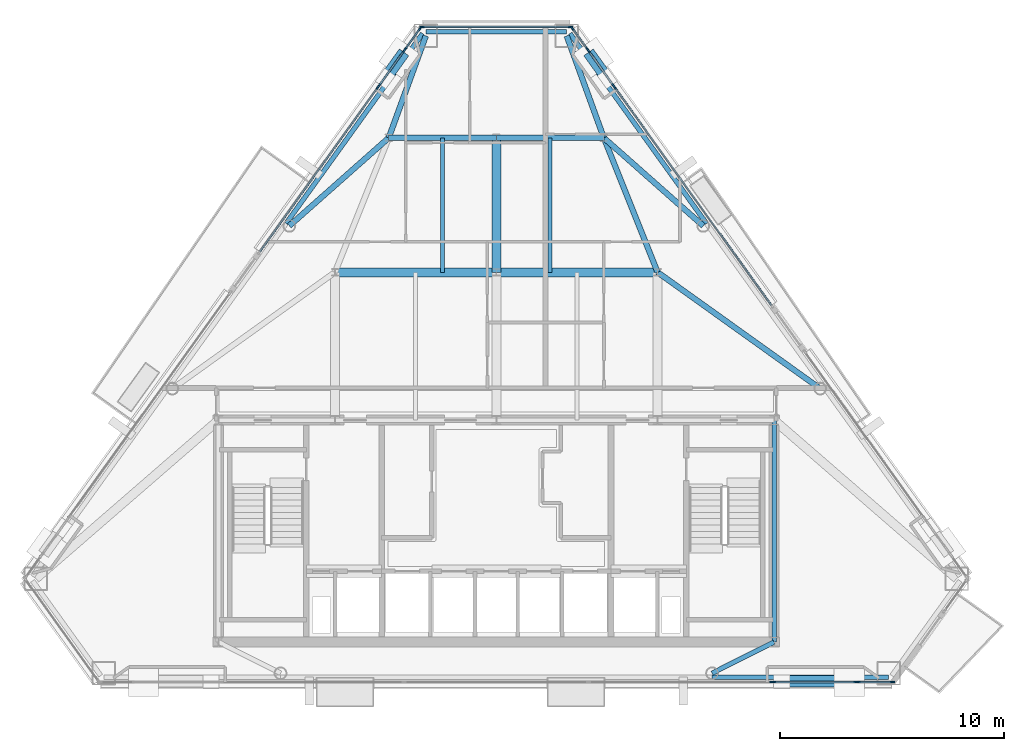
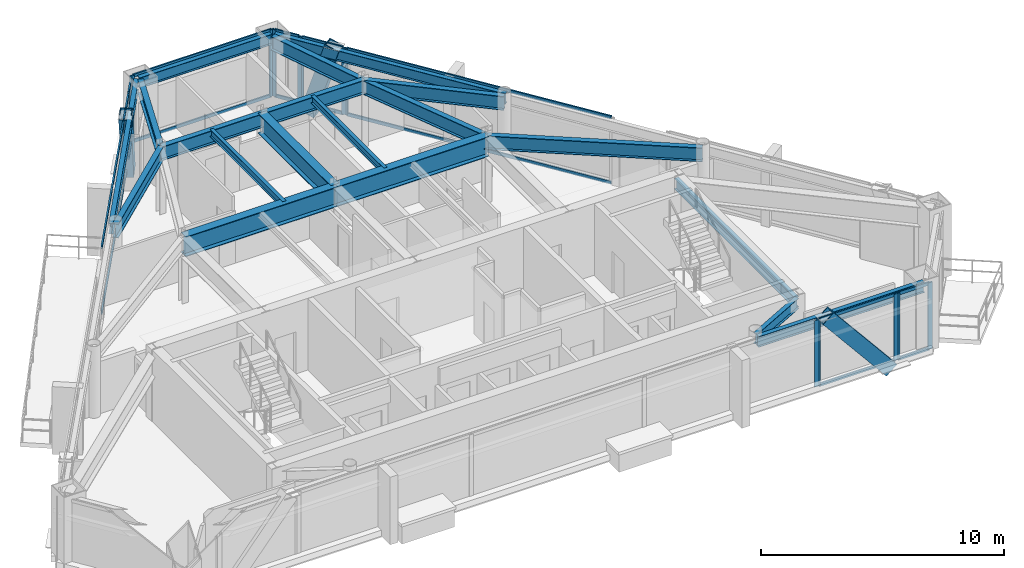
# One storey, part 4 of 11: 38 members, 19 beams, 10 elements without a shape of their own.
"""IFC4 building model written with IfcOpenShell, lengths in metres."""

import ifcopenshell
import ifcopenshell.guid

model = None  # the IFC model being written
_history = None  # IfcOwnerHistory: only IFC2X3 demands one
_inside = {}  # id of a spatial element -> (the spatial element, [elements in it])
_under = {}  # id of a project, library or spatial element -> (it, [spatial elements below it])
_declared = {}  # id of a project -> (the project, [libraries it declares])
_typed = {}  # id of a type object -> (the type object, [elements of that type])
_made_of = {}  # id of a material, layer set ... -> (it, [elements and type objects made of it])


def new_model(schema):
    """Start an empty IFC model of exactly this schema.

    Asked for "IFC4X3", IfcOpenShell would pick the latest addendum, in which some entities
    have other attributes; the version numbers below select the first issue.
    IFC2X3 requires an IfcOwnerHistory on every rooted entity: one is made here for all.
    """
    global model, _history
    if schema == "IFC4X3":
        model = ifcopenshell.file(schema_version=(4, 3, 0, 0))
    else:
        model = ifcopenshell.file(schema=schema)
    _inside.clear()
    _under.clear()
    _declared.clear()
    _typed.clear()
    _made_of.clear()
    _history = None
    if model.schema == "IFC2X3":
        org = make("IfcOrganization", Name="unknown")
        user = make(
            "IfcPersonAndOrganization",
            ThePerson=make("IfcPerson", FamilyName="unknown"),
            TheOrganization=org,
        )
        app = make(
            "IfcApplication",
            ApplicationDeveloper=org,
            Version="unknown",
            ApplicationFullName="unknown",
            ApplicationIdentifier="unknown",
        )
        _history = make(
            "IfcOwnerHistory",
            OwningUser=user,
            OwningApplication=app,
            ChangeAction="ADDED",
            CreationDate=0,
        )
    return model


def make(cls, **values):
    """One entity of the class cls with the attributes given. An attribute that is None is left unset."""
    return model.create_entity(
        cls, **{name: value for name, value in values.items() if value is not None}
    )


def rooted(cls, **values):
    """An entity with a GlobalId (a new one), such as an element, a storey or a relation."""
    return make(cls, GlobalId=ifcopenshell.guid.new(), OwnerHistory=_history, **values)


def si_unit(unit_type, name, prefix=None):
    """IfcSIUnit, for example si_unit("LENGTHUNIT", "METRE", prefix="MILLI")."""
    return make("IfcSIUnit", UnitType=unit_type, Prefix=prefix, Name=name)


def assignment(units):
    """IfcUnitAssignment: the units of a project."""
    return None if units is None else make("IfcUnitAssignment", Units=units)


def point(xyz):
    """IfcCartesianPoint."""
    return None if xyz is None else make("IfcCartesianPoint", Coordinates=xyz)


def direction(xyz):
    """IfcDirection."""
    return None if xyz is None else make("IfcDirection", DirectionRatios=xyz)


def frame(location, z_axis=None, x_axis=None):
    """IfcAxis2Placement3D, a coordinate frame: its origin and axes. An axis left out is left unset."""
    return make(
        "IfcAxis2Placement3D",
        Location=point(location),
        Axis=direction(z_axis),
        RefDirection=direction(x_axis),
    )


def frame_2d(location, x_axis=None):
    """IfcAxis2Placement2D, a coordinate frame in the plane: its origin and x axis."""
    return make(
        "IfcAxis2Placement2D", Location=point(location), RefDirection=direction(x_axis)
    )


def origin():
    """The frame at (0, 0, 0) with its axes left unset."""
    return frame((0.0, 0.0, 0.0))


def origin_2d():
    """The frame at (0, 0) in the plane with its x axis left unset."""
    return frame_2d((0.0, 0.0))


def place(relative_to, where):
    """IfcLocalPlacement: puts the frame where relative to a parent placement (None: the world)."""
    return make(
        "IfcLocalPlacement", PlacementRelTo=relative_to, RelativePlacement=where
    )


def context(
    kind, dimensions, precision=None, world=None, true_north=None, identifier=None
):
    """IfcGeometricRepresentationContext, for example the 3D "Model" context."""
    return make(
        "IfcGeometricRepresentationContext",
        ContextIdentifier=identifier,
        ContextType=kind,
        CoordinateSpaceDimension=dimensions,
        Precision=precision,
        WorldCoordinateSystem=world,
        TrueNorth=true_north,
    )


def subcontext(parent, identifier, kind, view, scale=None):
    """IfcGeometricRepresentationSubContext, for example "Body" below "Model"."""
    return make(
        "IfcGeometricRepresentationSubContext",
        ContextIdentifier=identifier,
        ContextType=kind,
        ParentContext=parent,
        TargetScale=scale,
        TargetView=view,
    )


def project(units=None, contexts=None):
    """IfcProject with its units and contexts."""
    return rooted(
        "IfcProject",
        Name="project",
        RepresentationContexts=contexts,
        UnitsInContext=assignment(units),
    )


def spatial(cls, under=None, at=None, **own):
    """A site, building, storey or space (cls), placed at a placement, below another one or the project."""
    s = rooted(cls, ObjectPlacement=at, **own)
    if under is not None:
        _under.setdefault(under.id(), (under, []))[1].append(s)
    return s


def profile(cls, at=None, kind="AREA", **sizes):
    """A parametric profile (cls). Its sizes go by their IFC names, for example OverallWidth=200.0."""
    return make(cls, ProfileType=kind, Position=at, **sizes)


def rectangle(**sizes):
    """IfcRectangleProfileDef."""
    return profile("IfcRectangleProfileDef", **sizes)


def hollow_rectangle(**sizes):
    """IfcRectangleHollowProfileDef."""
    return profile("IfcRectangleHollowProfileDef", **sizes)


def i_section(**sizes):
    """IfcIShapeProfileDef."""
    return profile("IfcIShapeProfileDef", **sizes)


def extrude(swept, where, along, depth):
    """IfcExtrudedAreaSolid: the profile swept, set in the frame where, extruded along a direction by depth."""
    return make(
        "IfcExtrudedAreaSolid",
        SweptArea=swept,
        Position=where,
        ExtrudedDirection=direction(along),
        Depth=depth,
    )


def shape(context_of_items, identifier, shape_type, items):
    """IfcShapeRepresentation: the items that make up one representation, for example the "Body"."""
    return make(
        "IfcShapeRepresentation",
        ContextOfItems=context_of_items,
        RepresentationIdentifier=identifier,
        RepresentationType=shape_type,
        Items=items,
    )


def material(Name=None, Category=None):
    """IfcMaterial."""
    return make("IfcMaterial", Name=Name, Category=Category)


def layer(
    of_material, thickness, ventilated=None, Name=None, Category=None, Priority=None
):
    """IfcMaterialLayer: one layer of a wall or slab, of a material (None: an air gap)."""
    return make(
        "IfcMaterialLayer",
        Material=of_material,
        LayerThickness=thickness,
        IsVentilated=ventilated,
        Name=Name,
        Category=Category,
        Priority=Priority,
    )


def layer_set(layers, Name=None):
    """IfcMaterialLayerSet."""
    return make("IfcMaterialLayerSet", MaterialLayers=layers, LayerSetName=Name)


def material_profile(
    of_material, cross_section, Name=None, Category=None, Priority=None
):
    """IfcMaterialProfile: a cross section and its material."""
    return make(
        "IfcMaterialProfile",
        Name=Name,
        Material=of_material,
        Profile=cross_section,
        Priority=Priority,
        Category=Category,
    )


def profile_set(profiles, Name=None, composite=None):
    """IfcMaterialProfileSet."""
    return make(
        "IfcMaterialProfileSet",
        Name=Name,
        MaterialProfiles=profiles,
        CompositeProfile=composite,
    )


def made_of(thing, what):
    """Note that an element or type object is made of a material, layer set ...; save() writes the relation."""
    if what is not None:
        _made_of.setdefault(what.id(), (what, []))[1].append(thing)
    return thing


def type_object(cls, material=None, **own):
    """A type object (cls), such as IfcWallType, which elements share."""
    return made_of(rooted(cls, **own), material)


def element(
    cls,
    number,
    at=None,
    inside=None,
    cuts=None,
    type_object=None,
    material=None,
    context=None,
    identifier="Body",
    shape_type=None,
    held_by="IfcProductDefinitionShape",
    body=None,
    shapes=None,
    **own,
):
    """One element of the class cls, such as IfcWall. Its Tag is "e" and its number.

    at: its placement. inside: the storey or other place that contains it. cuts: it is an
    opening in that element (IfcRelVoidsElement). A single representation is given by context,
    identifier, shape_type and body (its items); several are given by shapes. held_by: the class
    of the entity that holds the representations. save() writes the other relations.
    """
    e = rooted(cls, Tag="e%d" % number, ObjectPlacement=at, **own)
    if body is not None:
        shapes = [shape(context, identifier, shape_type, body)]
    if shapes is not None:
        e.Representation = make(held_by, Representations=shapes)
    if inside is not None:
        _inside.setdefault(inside.id(), (inside, []))[1].append(e)
    if cuts is not None:
        rooted(
            "IfcRelVoidsElement", RelatingBuildingElement=cuts, RelatedOpeningElement=e
        )
    if type_object is not None:
        _typed.setdefault(type_object.id(), (type_object, []))[1].append(e)
    return made_of(e, material)


def aggregate(whole, parts):
    """IfcRelAggregates: a whole, such as a stair, and the parts it consists of."""
    return rooted("IfcRelAggregates", RelatingObject=whole, RelatedObjects=parts)


def save(model, path):
    """Write the relations noted so far, then the file.

    IfcRelAggregates (storeys below a building ...), IfcRelContainedInSpatialStructure (elements
    in a storey), IfcRelDefinesByType, IfcRelAssociatesMaterial and IfcRelDeclares: one each for
    every whole, place, type object, material and project.
    """
    for whole, parts in _under.values():
        aggregate(whole, parts)
    for where, things in _inside.values():
        rooted(
            "IfcRelContainedInSpatialStructure",
            RelatedElements=things,
            RelatingStructure=where,
        )
    for kind, things in _typed.values():
        rooted("IfcRelDefinesByType", RelatedObjects=things, RelatingType=kind)
    for what, things in _made_of.values():
        rooted("IfcRelAssociatesMaterial", RelatedObjects=things, RelatingMaterial=what)
    for by, libraries in _declared.values():
        rooted("IfcRelDeclares", RelatingContext=by, RelatedDefinitions=libraries)
    model.write(path)


model = new_model("IFC4")

# Units and contexts
model_context = context("Model", 3, precision=1e-05, world=origin(), true_north=direction((0.0, 1.0)))
body_context = subcontext(model_context, "Body", "Model", "MODEL_VIEW")
ifc_project = project(units=[si_unit("LENGTHUNIT", "METRE"), si_unit("AREAUNIT", "SQUARE_METRE"), si_unit("VOLUMEUNIT", "CUBIC_METRE"), si_unit("PLANEANGLEUNIT", "RADIAN"), si_unit("MASSUNIT", "GRAM", prefix="KILO")], contexts=[model_context])

# Site, building, storey
site_placement = place(None, origin())
site = spatial("IfcSite", under=ifc_project, at=site_placement, CompositionType="ELEMENT")
building_placement = place(site_placement, origin())
building = spatial("IfcBuilding", under=site, at=building_placement, Name="Talgorran Terracotta Tower", CompositionType="ELEMENT")
storey_placement = place(building_placement, frame((0.0, 0.0, 207.300048828125)))
storey = spatial("IfcBuildingStorey", under=building, at=storey_placement, Name="L54", CompositionType="ELEMENT", Elevation=207.300048828125)

# Beams
ifc_material_1 = material(Name="Steel Grade 350 (350L0)", Category="steel")
ifc_material_profile_1 = material_profile(ifc_material_1, i_section(OverallWidth=0.39990234375, OverallDepth=1.0, WebThickness=0.01611328125, FlangeThickness=0.031005859375, at=origin_2d()), Name="1000WB296")
ifc_profile_set_1 = profile_set([ifc_material_profile_1], Name="Steel Grade 350 (350L0)")
beam_type_1 = type_object("IfcBeamType", Name="BM_1000WB296", PredefinedType="BEAM", material=ifc_profile_set_1)
for number, where, z_axis, x_axis, name in (
    (1, (-7.199951171875, 2.39990234375, 2.844970703125), (1.0, 0.0, 0.0), (0.0, 1.0, 0.0), "L54 Floor Girder G04"),
    (2, (0.0, 2.39990234375, 2.844970703125), (1.0, 0.0, 0.0), (0.0, 1.0, 0.0), "L54 Floor Girder G05"),
):
    element("IfcBeam", number, at=place(storey_placement, frame(where, z_axis=z_axis, x_axis=x_axis)), inside=storey, type_object=beam_type_1, Name=name, PredefinedType="BEAM", context=body_context, shape_type="SweptSolid", body=[
        extrude(i_section(OverallWidth=0.39990234375, OverallDepth=1.0, WebThickness=0.01611328125, FlangeThickness=0.031005859375, at=origin_2d()), origin(), (0.0, 0.0, 1.0), 7.199951171875),
    ])
beam_1_placement = place(storey_placement, frame((0.0, 2.39990234375, 2.844970703125), z_axis=(0.0, 1.0, 0.0), x_axis=(-1.0, 0.0, 0.0)))
element("IfcBeam", 3, at=beam_1_placement, inside=storey, type_object=beam_type_1, Name="L54 Floor Girder G09", PredefinedType="BEAM", context=body_context, shape_type="SweptSolid", body=[
    extrude(i_section(OverallWidth=0.39990234375, OverallDepth=1.0, WebThickness=0.01611328125, FlangeThickness=0.031005859375, at=origin_2d()), origin(), (0.0, 0.0, 1.0), 6.0),
])
ifc_material_2 = material(Name="Steel S355 (300PLUS)", Category="steel")
ifc_material_profile_2 = material_profile(ifc_material_2, i_section(OverallWidth=0.25, OverallDepth=0.699951171875, WebThickness=0.011962890625, FlangeThickness=0.02392578125, at=origin_2d()), Name="700WB150")
ifc_profile_set_2 = profile_set([ifc_material_profile_2], Name="Steel S355 (300PLUS)")
beam_type_2 = type_object("IfcBeamType", Name="BM_700WB150", PredefinedType="BEAM", material=ifc_profile_set_2)
beam_2_placement = place(storey_placement, frame((7.199951171875, 2.39990234375, 2.994873046875), z_axis=(0.813243309998, -0.581923808366, 0.0), x_axis=(0.581923808366, 0.813243309998, 0.0)))
element("IfcBeam", 4, at=beam_2_placement, inside=storey, type_object=beam_type_2, Name="L54 Floor Girder G07", PredefinedType="BEAM", context=body_context, shape_type="SweptSolid", body=[
    extrude(i_section(OverallWidth=0.25, OverallDepth=0.699951171875, WebThickness=0.011962890625, FlangeThickness=0.02392578125, at=origin_2d()), origin(), (0.0, 0.0, 1.0), 8.923583984375),
])
beam_3_placement = place(storey_placement, frame((7.199951171875, 2.39990234375, 2.994873046875), z_axis=(-0.371377648723, 0.928481901832, 0.0), x_axis=(-0.928481901832, -0.371377648723, 0.0)))
element("IfcBeam", 5, at=beam_3_placement, inside=storey, type_object=beam_type_2, Name="L54 Floor Girder G10", PredefinedType="BEAM", context=body_context, shape_type="SweptSolid", body=[
    extrude(i_section(OverallWidth=0.25, OverallDepth=0.699951171875, WebThickness=0.011962890625, FlangeThickness=0.02392578125, at=origin_2d()), origin(), (0.0, 0.0, 1.0), 6.462158203125),
])
for number, where, z_axis, x_axis, name in (
    (6, (-4.800048828125, 8.39990234375, 2.994873046875), (1.0, 0.0, 0.0), (0.0, 1.0, 0.0), "L54 Floor Girder G11"),
    (7, (0.0, 8.39990234375, 2.994873046875), (1.0, 0.0, 0.0), (0.0, 1.0, 0.0), "L54 Floor Girder G12"),
):
    element("IfcBeam", number, at=place(storey_placement, frame(where, z_axis=z_axis, x_axis=x_axis)), inside=storey, type_object=beam_type_2, Name=name, PredefinedType="BEAM", context=body_context, shape_type="SweptSolid", body=[
        extrude(i_section(OverallWidth=0.25, OverallDepth=0.699951171875, WebThickness=0.011962890625, FlangeThickness=0.02392578125, at=origin_2d()), origin(), (0.0, 0.0, 1.0), 4.800048828125),
    ])
for number, where, z_axis, x_axis, name in (
    (8, (-4.800048828125, 8.39990234375, 2.994873046875), (-0.748742442486, -0.662861037338, 0.0), (0.662861037338, -0.748742442486, 0.0), "L54 Floor Girder G13"),
    (9, (4.800048828125, 8.39990234375, 2.994873046875), (0.748742442486, -0.662861037338, 0.0), (0.662861037338, 0.748742442486, 0.0), "L54 Floor Girder G14"),
):
    element("IfcBeam", number, at=place(storey_placement, frame(where, z_axis=z_axis, x_axis=x_axis)), inside=storey, type_object=beam_type_2, Name=name, PredefinedType="BEAM", context=body_context, shape_type="SweptSolid", body=[
        extrude(i_section(OverallWidth=0.25, OverallDepth=0.699951171875, WebThickness=0.011962890625, FlangeThickness=0.02392578125, at=origin_2d()), origin(), (0.0, 0.0, 1.0), 5.92431640625),
    ])
for number, where, z_axis, x_axis, name in (
    (10, (-4.800048828125, 8.39990234375, 2.994873046875), (0.341933346836, 0.939724207585, 0.0), (-0.939724207585, 0.341933346836, 0.0), "L54 Floor Girder G15"),
    (11, (4.800048828125, 8.39990234375, 2.994873046875), (-0.341933346836, 0.939724207585, 0.0), (-0.939724207585, -0.341933346836, 0.0), "L54 Floor Girder G16"),
):
    element("IfcBeam", number, at=place(storey_placement, frame(where, z_axis=z_axis, x_axis=x_axis)), inside=storey, type_object=beam_type_2, Name=name, PredefinedType="BEAM", context=body_context, shape_type="SweptSolid", body=[
        extrude(i_section(OverallWidth=0.25, OverallDepth=0.699951171875, WebThickness=0.011962890625, FlangeThickness=0.02392578125, at=origin_2d()), origin(), (0.0, 0.0, 1.0), 4.841552734375),
    ])
ifc_material_profile_3 = material_profile(ifc_material_2, i_section(OverallWidth=0.17138671875, OverallDepth=0.355712890625, WebThickness=0.00732421875, FlangeThickness=0.011474609375, at=origin_2d()), Name="360UB50.7")
ifc_profile_set_3 = profile_set([ifc_material_profile_3], Name="Steel S355 (300PLUS)")
beam_type_3 = type_object("IfcBeamType", Name="BM_JS_360UB51", PredefinedType="JOIST", material=ifc_profile_set_3)
for number, where, z_axis, x_axis, name in (
    (12, (-2.39990234375, 2.39990234375, 3.167236328125), (0.0, 1.0, 0.0), (-1.0, 0.0, 0.0), "L54 Secondary Joist J03"),
    (13, (2.39990234375, 2.39990234375, 3.167236328125), (0.0, 1.0, 0.0), (-1.0, 0.0, 0.0), "L54 Secondary Joist J04"),
):
    element("IfcBeam", number, at=place(storey_placement, frame(where, z_axis=z_axis, x_axis=x_axis)), inside=storey, type_object=beam_type_3, Name=name, PredefinedType="JOIST", context=body_context, shape_type="SweptSolid", body=[
        extrude(i_section(OverallWidth=0.17138671875, OverallDepth=0.355712890625, WebThickness=0.00732421875, FlangeThickness=0.011474609375, at=origin_2d()), origin(), (0.0, 0.0, 1.0), 6.0),
    ])
ifc_material_profile_4 = material_profile(ifc_material_2, i_section(OverallWidth=0.209228515625, OverallDepth=0.532958984375, WebThickness=0.01025390625, FlangeThickness=0.015625, at=origin_2d()), Name="530UB92.4")
ifc_profile_set_4 = profile_set([ifc_material_profile_4], Name="Steel S355 (300PLUS)")
beam_type_4 = type_object("IfcBeamType", Name="BM_SP_530UB92", PredefinedType="SPANDREL", material=ifc_profile_set_4)
beam_4_placement = place(storey_placement, frame((9.630859375, -15.6767578125, 3.078369140625), z_axis=(1.0, 0.0, 0.0), x_axis=(0.0, 1.0, 0.0)))
element("IfcBeam", 14, at=beam_4_placement, inside=storey, type_object=beam_type_4, Name="L54 Perimeter Spandrel Beam FC2-MC3", PredefinedType="SPANDREL", context=body_context, shape_type="SweptSolid", body=[
    extrude(i_section(OverallWidth=0.209228515625, OverallDepth=0.532958984375, WebThickness=0.01025390625, FlangeThickness=0.015625, at=origin_2d()), origin(), (0.0, 0.0, 1.0), 7.8798828125),
])
beam_5_placement = place(storey_placement, frame((9.382080078125, 4.577880859375, 3.078369140625), z_axis=(-0.583547851422, 0.812078755479, 0.0), x_axis=(-0.812078755479, -0.583547851422, 0.0)))
element("IfcBeam", 15, at=beam_5_placement, inside=storey, type_object=beam_type_4, Name="L54 Perimeter Spandrel Beam FC4-MC5", PredefinedType="SPANDREL", context=body_context, shape_type="SweptSolid", body=[
    extrude(i_section(OverallWidth=0.209228515625, OverallDepth=0.532958984375, WebThickness=0.01025390625, FlangeThickness=0.015625, at=origin_2d()), origin(), (0.0, 0.0, 1.0), 10.4384765625),
])
beam_6_placement = place(storey_placement, frame((3.14453125, 13.129638671875, 3.078369140625), z_axis=(-1.0, 0.0, 0.0), x_axis=(0.0, -1.0, 0.0)))
element("IfcBeam", 16, at=beam_6_placement, inside=storey, type_object=beam_type_4, Name="L54 Perimeter Spandrel Beam MC5-MC6", PredefinedType="SPANDREL", context=body_context, shape_type="SweptSolid", body=[
    extrude(i_section(OverallWidth=0.209228515625, OverallDepth=0.532958984375, WebThickness=0.01025390625, FlangeThickness=0.015625, at=origin_2d()), origin(), (0.0, 0.0, 1.0), 6.2890625),
])
beam_7_placement = place(storey_placement, frame((-3.290771484375, 13.0546875, 3.078369140625), z_axis=(-0.583547851422, -0.812078755479, 0.0), x_axis=(0.812078755479, -0.583547851422, 0.0)))
element("IfcBeam", 17, at=beam_7_placement, inside=storey, type_object=beam_type_4, Name="L54 Perimeter Spandrel Beam MC6-FC5", PredefinedType="SPANDREL", context=body_context, shape_type="SweptSolid", body=[
    extrude(i_section(OverallWidth=0.209228515625, OverallDepth=0.532958984375, WebThickness=0.01025390625, FlangeThickness=0.015625, at=origin_2d()), origin(), (0.0, 0.0, 1.0), 10.4384765625),
])
beam_8_placement = place(storey_placement, frame((12.39990234375, -14.10009765625, 3.078369140625), z_axis=(-0.892878892076, -0.450296884383, 0.0), x_axis=(0.450296884383, -0.892878892076, 0.0)))
element("IfcBeam", 18, at=beam_8_placement, inside=storey, type_object=beam_type_4, Name="L54 South-East Core Tie Beam", PredefinedType="SPANDREL", context=body_context, shape_type="SweptSolid", body=[
    extrude(i_section(OverallWidth=0.209228515625, OverallDepth=0.532958984375, WebThickness=0.01025390625, FlangeThickness=0.015625, at=origin_2d()), origin(), (0.0, 0.0, 1.0), 3.101318359375),
])
beam_9_placement = place(storey_placement, frame((12.39990234375, -14.10009765625, 3.078369140625), z_axis=(0.0, 1.0, 0.0), x_axis=(-1.0, 0.0, 0.0)))
element("IfcBeam", 19, at=beam_9_placement, inside=storey, type_object=beam_type_4, Name="L54 Core Frame Beam CFE", PredefinedType="SPANDREL", context=body_context, shape_type="SweptSolid", body=[
    extrude(i_section(OverallWidth=0.209228515625, OverallDepth=0.532958984375, WebThickness=0.01025390625, FlangeThickness=0.015625, at=origin_2d()), origin(), (0.0, 0.0, 1.0), 9.900146484375),
])

# Members
ifc_material_profile_5 = material_profile(ifc_material_1, hollow_rectangle(XDim=0.52001953125, YDim=0.659912109375, WallThickness=0.034912109375, at=origin_2d()), Name="WBOX660X520X35")
ifc_profile_set_5 = profile_set([ifc_material_profile_5], Name="Steel Grade 350 (350L0)")
member_type_1 = type_object("IfcMemberType", Name="MB_MEGA_660", PredefinedType="BRACE", material=ifc_profile_set_5)
member_1_placement = place(storey_placement, frame((15.748779296875, -15.856689453125, -0.275146484375), z_axis=(-0.636528945712, 0.0, 0.771252812812), x_axis=(0.0, -1.0, 0.0)))
element("IfcMember", 20, at=member_1_placement, inside=storey, type_object=member_type_1, Name="L54 Exterior Face Mega-Brace MB-3 (SEF)", PredefinedType="BRACE", context=body_context, shape_type="SweptSolid", body=[
    extrude(hollow_rectangle(XDim=0.52001953125, YDim=0.659912109375, WallThickness=0.034912109375, at=origin_2d()), origin(), (0.0, 0.0, 1.0), 4.72607421875),
])
for number, where, z_axis, x_axis, name in (
    (21, (4.300537109375, 11.957763671875, -0.275146484375), (0.171396030818, -0.238494663727, 0.9558994173), (0.812050884366, 0.583586635557, 0.0), "L54 Exterior Face Mega-Brace MB-3 (NEU)"),
    (22, (-4.300537109375, 11.957763671875, -0.275146484375), (-0.171396030818, -0.238494663727, 0.9558994173), (0.812050884366, -0.583586635557, 0.0), "L54 Exterior Face Mega-Brace MB-3 (NWU)"),
):
    element("IfcMember", number, at=place(storey_placement, frame(where, z_axis=z_axis, x_axis=x_axis)), inside=storey, type_object=member_type_1, Name=name, PredefinedType="BRACE", context=body_context, shape_type="SweptSolid", body=[
        extrude(hollow_rectangle(XDim=0.52001953125, YDim=0.659912109375, WallThickness=0.034912109375, at=origin_2d()), origin(), (0.0, 0.0, 1.0), 3.813232421875),
    ])

# Curtain wall, member
ifc_material_3 = material(Name="High-Wind Unitised Glazing", Category="glass")
ifc_layer = layer(ifc_material_3, 0.2099609375, Name="CW_SYS3_RES_HIGH")
ifc_layer_set = layer_set([ifc_layer], Name="High-Wind Unitised Glazing")
curtain_wall_type = type_object("IfcCurtainWallType", Name="CW_SYS3_RES_HIGH", PredefinedType="NOTDEFINED", material=ifc_layer_set)
curtain_wall_1_placement = place(storey_placement, origin())
curtain_wall_1 = element("IfcCurtainWall", 23, at=curtain_wall_1_placement, inside=storey, type_object=curtain_wall_type, Name="CW-L54-F1C", PredefinedType="NOTDEFINED")
ifc_material_4 = material(Name="Architectural Aluminium 6063-T6", Category="aluminium")
ifc_material_profile_6 = material_profile(ifc_material_4, rectangle(XDim=0.070068359375, YDim=0.199951171875, at=origin_2d()), Name="CWM70X200")
ifc_profile_set_6 = profile_set([ifc_material_profile_6], Name="Architectural Aluminium 6063-T6")
member_type_2 = type_object("IfcMemberType", Name="MUL_70X200", PredefinedType="MULLION", material=ifc_profile_set_6)
member_2_placement = place(storey_placement, frame((12.296142578125, -15.896728515625, 0.0), z_axis=(0.0, 0.0, 1.0), x_axis=(0.0, 1.0, 0.0)))
member_2 = element("IfcMember", 24, at=member_2_placement, type_object=member_type_2, Name="CW-L54-1C mullion 4", PredefinedType="MULLION", context=body_context, shape_type="SweptSolid", body=[
    extrude(rectangle(XDim=0.070068359375, YDim=0.199951171875, at=origin_2d()), origin(), (0.0, 0.0, 1.0), 3.344970703125),
])
aggregate(curtain_wall_1, [member_2])

# Curtain wall, members
curtain_wall_2_placement = place(storey_placement, origin())
curtain_wall_2 = element("IfcCurtainWall", 25, at=curtain_wall_2_placement, inside=storey, type_object=curtain_wall_type, Name="CW-L54-F1D", PredefinedType="NOTDEFINED")
member_3_placement = place(storey_placement, frame((12.376220703125, -15.896728515625, 0.0), z_axis=(0.0, 0.0, 1.0), x_axis=(0.0, 1.0, 0.0)))
member_3 = element("IfcMember", 26, at=member_3_placement, type_object=member_type_2, Name="CW-L54-1D mullion 1", PredefinedType="MULLION", context=body_context, shape_type="SweptSolid", body=[
    extrude(rectangle(XDim=0.070068359375, YDim=0.199951171875, at=origin_2d()), origin(), (0.0, 0.0, 1.0), 3.344970703125),
])
member_4_placement = place(storey_placement, frame((16.059814453125, -15.896728515625, 0.0), z_axis=(0.0, 0.0, 1.0), x_axis=(0.0, 1.0, 0.0)))
member_4 = element("IfcMember", 27, at=member_4_placement, type_object=member_type_2, Name="CW-L54-1D mullion 2", PredefinedType="MULLION", context=body_context, shape_type="SweptSolid", body=[
    extrude(rectangle(XDim=0.070068359375, YDim=0.199951171875, at=origin_2d()), origin(), (0.0, 0.0, 1.0), 3.344970703125),
])

curtain_wall_3_placement = place(storey_placement, origin())
curtain_wall_3 = element("IfcCurtainWall", 28, at=curtain_wall_3_placement, inside=storey, type_object=curtain_wall_type, Name="CW-L54-F1E", PredefinedType="NOTDEFINED")
member_5_placement = place(storey_placement, frame((16.1396484375, -15.896728515625, 0.0), z_axis=(0.0, 0.0, 1.0), x_axis=(0.0, 1.0, 0.0)))
member_5 = element("IfcMember", 29, at=member_5_placement, type_object=member_type_2, Name="CW-L54-1E mullion 1", PredefinedType="MULLION", context=body_context, shape_type="SweptSolid", body=[
    extrude(rectangle(XDim=0.070068359375, YDim=0.199951171875, at=origin_2d()), origin(), (0.0, 0.0, 1.0), 3.344970703125),
])
member_6_placement = place(storey_placement, frame((17.680908203125, -15.896728515625, 0.0), z_axis=(0.0, 0.0, 1.0), x_axis=(0.0, 1.0, 0.0)))
member_6 = element("IfcMember", 30, at=member_6_placement, type_object=member_type_2, Name="CW-L54-1E mullion 2", PredefinedType="MULLION", context=body_context, shape_type="SweptSolid", body=[
    extrude(rectangle(XDim=0.070068359375, YDim=0.199951171875, at=origin_2d()), origin(), (0.0, 0.0, 1.0), 3.344970703125),
])

# Curtain wall, member
curtain_wall_4_placement = place(storey_placement, origin())
curtain_wall_4 = element("IfcCurtainWall", 31, at=curtain_wall_4_placement, inside=storey, type_object=curtain_wall_type, Name="CW-L54-F41", PredefinedType="NOTDEFINED")
member_7_placement = place(storey_placement, frame((5.28173828125, 10.6611328125, 0.0), z_axis=(0.0, 0.0, 1.0), x_axis=(-0.812077339642, -0.583549821729, 0.0)))
member_7 = element("IfcMember", 32, at=member_7_placement, type_object=member_type_2, Name="CW-L54-41 mullion 2", PredefinedType="MULLION", context=body_context, shape_type="SweptSolid", body=[
    extrude(rectangle(XDim=0.070068359375, YDim=0.199951171875, at=origin_2d()), origin(), (0.0, 0.0, 1.0), 3.344970703125),
])

# Curtain wall, members
curtain_wall_5_placement = place(storey_placement, origin())
curtain_wall_5 = element("IfcCurtainWall", 33, at=curtain_wall_5_placement, inside=storey, type_object=curtain_wall_type, Name="CW-L54-F41B", PredefinedType="NOTDEFINED")
member_8_placement = place(storey_placement, frame((5.23486328125, 10.72607421875, 0.0), z_axis=(0.0, 0.0, 1.0), x_axis=(-0.812080239793, -0.583545785812, 0.0)))
member_8 = element("IfcMember", 34, at=member_8_placement, type_object=member_type_2, Name="CW-L54-41B mullion 1", PredefinedType="MULLION", context=body_context, shape_type="SweptSolid", body=[
    extrude(rectangle(XDim=0.070068359375, YDim=0.199951171875, at=origin_2d()), origin(), (0.0, 0.0, 1.0), 3.344970703125),
])
member_9_placement = place(storey_placement, frame((4.116943359375, 12.2822265625, 0.0), z_axis=(0.0, 0.0, 1.0), x_axis=(-0.812080239793, -0.583545785812, 0.0)))
member_9 = element("IfcMember", 35, at=member_9_placement, type_object=member_type_2, Name="CW-L54-41B mullion 2", PredefinedType="MULLION", context=body_context, shape_type="SweptSolid", body=[
    extrude(rectangle(XDim=0.070068359375, YDim=0.199951171875, at=origin_2d()), origin(), (0.0, 0.0, 1.0), 3.344970703125),
])

curtain_wall_6_placement = place(storey_placement, origin())
curtain_wall_6 = element("IfcCurtainWall", 36, at=curtain_wall_6_placement, inside=storey, type_object=curtain_wall_type, Name="CW-L54-F41C", PredefinedType="NOTDEFINED")
member_10_placement = place(storey_placement, frame((4.070068359375, 12.34716796875, 0.0), z_axis=(0.0, 0.0, 1.0), x_axis=(-0.812092461216, -0.583528777727, 0.0)))
member_10 = element("IfcMember", 37, at=member_10_placement, type_object=member_type_2, Name="CW-L54-41C mullion 1", PredefinedType="MULLION", context=body_context, shape_type="SweptSolid", body=[
    extrude(rectangle(XDim=0.070068359375, YDim=0.199951171875, at=origin_2d()), origin(), (0.0, 0.0, 1.0), 3.344970703125),
])
member_11_placement = place(storey_placement, frame((3.3935546875, 13.28857421875, 0.0), z_axis=(0.0, 0.0, 1.0), x_axis=(-0.812092461216, -0.583528777727, 0.0)))
member_11 = element("IfcMember", 38, at=member_11_placement, type_object=member_type_2, Name="CW-L54-41C mullion 2", PredefinedType="MULLION", context=body_context, shape_type="SweptSolid", body=[
    extrude(rectangle(XDim=0.070068359375, YDim=0.199951171875, at=origin_2d()), origin(), (0.0, 0.0, 1.0), 3.344970703125),
])

curtain_wall_7_placement = place(storey_placement, origin())
curtain_wall_7 = element("IfcCurtainWall", 39, at=curtain_wall_7_placement, inside=storey, type_object=curtain_wall_type, Name="CW-L54-F4", PredefinedType="NOTDEFINED")
member_12_placement = place(storey_placement, frame((3.314697265625, 13.349609375, 0.0), z_axis=(0.0, 0.0, 1.0), x_axis=(0.0, -1.0, 0.0)))
member_12 = element("IfcMember", 40, at=member_12_placement, type_object=member_type_2, Name="CW-L54-4 mullion 1", PredefinedType="MULLION", context=body_context, shape_type="SweptSolid", body=[
    extrude(rectangle(XDim=0.070068359375, YDim=0.199951171875, at=origin_2d()), origin(), (0.0, 0.0, 1.0), 3.344970703125),
])
member_13_placement = place(storey_placement, frame((-3.314697265625, 13.349609375, 0.0), z_axis=(0.0, 0.0, 1.0), x_axis=(0.0, -1.0, 0.0)))
member_13 = element("IfcMember", 41, at=member_13_placement, type_object=member_type_2, Name="CW-L54-4 mullion 2", PredefinedType="MULLION", context=body_context, shape_type="SweptSolid", body=[
    extrude(rectangle(XDim=0.070068359375, YDim=0.199951171875, at=origin_2d()), origin(), (0.0, 0.0, 1.0), 3.344970703125),
])

curtain_wall_8_placement = place(storey_placement, origin())
curtain_wall_8 = element("IfcCurtainWall", 42, at=curtain_wall_8_placement, inside=storey, type_object=curtain_wall_type, Name="CW-L54-F60", PredefinedType="NOTDEFINED")
member_14_placement = place(storey_placement, frame((-3.3935546875, 13.28857421875, 0.0), z_axis=(0.0, 0.0, 1.0), x_axis=(0.812092461216, -0.583528777727, 0.0)))
member_14 = element("IfcMember", 43, at=member_14_placement, type_object=member_type_2, Name="CW-L54-60 mullion 1", PredefinedType="MULLION", context=body_context, shape_type="SweptSolid", body=[
    extrude(rectangle(XDim=0.070068359375, YDim=0.199951171875, at=origin_2d()), origin(), (0.0, 0.0, 1.0), 3.344970703125),
])
member_15_placement = place(storey_placement, frame((-4.070068359375, 12.34716796875, 0.0), z_axis=(0.0, 0.0, 1.0), x_axis=(0.812092461216, -0.583528777727, 0.0)))
member_15 = element("IfcMember", 44, at=member_15_placement, type_object=member_type_2, Name="CW-L54-60 mullion 2", PredefinedType="MULLION", context=body_context, shape_type="SweptSolid", body=[
    extrude(rectangle(XDim=0.070068359375, YDim=0.199951171875, at=origin_2d()), origin(), (0.0, 0.0, 1.0), 3.344970703125),
])

curtain_wall_9_placement = place(storey_placement, origin())
curtain_wall_9 = element("IfcCurtainWall", 45, at=curtain_wall_9_placement, inside=storey, type_object=curtain_wall_type, Name="CW-L54-F60B", PredefinedType="NOTDEFINED")
member_16_placement = place(storey_placement, frame((-4.116943359375, 12.2822265625, 0.0), z_axis=(0.0, 0.0, 1.0), x_axis=(0.812080239793, -0.583545785812, 0.0)))
member_16 = element("IfcMember", 46, at=member_16_placement, type_object=member_type_2, Name="CW-L54-60B mullion 1", PredefinedType="MULLION", context=body_context, shape_type="SweptSolid", body=[
    extrude(rectangle(XDim=0.070068359375, YDim=0.199951171875, at=origin_2d()), origin(), (0.0, 0.0, 1.0), 3.344970703125),
])
member_17_placement = place(storey_placement, frame((-5.23486328125, 10.72607421875, 0.0), z_axis=(0.0, 0.0, 1.0), x_axis=(0.812080239793, -0.583545785812, 0.0)))
member_17 = element("IfcMember", 47, at=member_17_placement, type_object=member_type_2, Name="CW-L54-60B mullion 2", PredefinedType="MULLION", context=body_context, shape_type="SweptSolid", body=[
    extrude(rectangle(XDim=0.070068359375, YDim=0.199951171875, at=origin_2d()), origin(), (0.0, 0.0, 1.0), 3.344970703125),
])

# Curtain wall, member
curtain_wall_10_placement = place(storey_placement, origin())
curtain_wall_10 = element("IfcCurtainWall", 48, at=curtain_wall_10_placement, inside=storey, type_object=curtain_wall_type, Name="CW-L54-F60C", PredefinedType="NOTDEFINED")
member_18_placement = place(storey_placement, frame((-5.28173828125, 10.6611328125, 0.0), z_axis=(0.0, 0.0, 1.0), x_axis=(0.812070619023, -0.583559174138, 0.0)))
member_18 = element("IfcMember", 49, at=member_18_placement, type_object=member_type_2, Name="CW-L54-60C mullion 1", PredefinedType="MULLION", context=body_context, shape_type="SweptSolid", body=[
    extrude(rectangle(XDim=0.070068359375, YDim=0.199951171875, at=origin_2d()), origin(), (0.0, 0.0, 1.0), 3.344970703125),
])

# Member
ifc_material_profile_7 = material_profile(ifc_material_4, rectangle(XDim=0.070068359375, YDim=0.159912109375, at=origin_2d()), Name="CWT70X160")
ifc_profile_set_7 = profile_set([ifc_material_profile_7], Name="Architectural Aluminium 6063-T6")
member_type_3 = type_object("IfcMemberType", Name="TRN_70X160", PredefinedType="USERDEFINED", material=ifc_profile_set_7)
member_19_placement = place(storey_placement, frame((12.4111328125, -15.896728515625, 0.034912109375), z_axis=(1.0, 0.0, 0.0), x_axis=(0.0, 1.0, 0.0)))
member_19 = element("IfcMember", 50, at=member_19_placement, type_object=member_type_3, Name="CW-L54-1D transom 1.1", ObjectType="TRANSOM", PredefinedType="USERDEFINED", context=body_context, shape_type="SweptSolid", body=[
    extrude(rectangle(XDim=0.070068359375, YDim=0.159912109375, at=origin_2d()), origin(), (0.0, 0.0, 1.0), 3.613525390625),
])

member_20_placement = place(storey_placement, frame((12.4111328125, -15.896728515625, 3.31005859375), z_axis=(1.0, 0.0, 0.0), x_axis=(0.0, 1.0, 0.0)))
member_20 = element("IfcMember", 51, at=member_20_placement, type_object=member_type_3, Name="CW-L54-1D transom 1.2", ObjectType="TRANSOM", PredefinedType="USERDEFINED", context=body_context, shape_type="SweptSolid", body=[
    extrude(rectangle(XDim=0.070068359375, YDim=0.159912109375, at=origin_2d()), origin(), (0.0, 0.0, 1.0), 3.613525390625),
])

aggregate(curtain_wall_2, [member_3, member_4, member_19, member_20])

member_21_placement = place(storey_placement, frame((16.1748046875, -15.896728515625, 0.034912109375), z_axis=(1.0, 0.0, 0.0), x_axis=(0.0, 1.0, 0.0)))
member_21 = element("IfcMember", 52, at=member_21_placement, type_object=member_type_3, Name="CW-L54-1E transom 1.1", ObjectType="TRANSOM", PredefinedType="USERDEFINED", context=body_context, shape_type="SweptSolid", body=[
    extrude(rectangle(XDim=0.070068359375, YDim=0.159912109375, at=origin_2d()), origin(), (0.0, 0.0, 1.0), 1.47119140625),
])

member_22_placement = place(storey_placement, frame((16.1748046875, -15.896728515625, 3.31005859375), z_axis=(1.0, 0.0, 0.0), x_axis=(0.0, 1.0, 0.0)))
member_22 = element("IfcMember", 53, at=member_22_placement, type_object=member_type_3, Name="CW-L54-1E transom 1.2", ObjectType="TRANSOM", PredefinedType="USERDEFINED", context=body_context, shape_type="SweptSolid", body=[
    extrude(rectangle(XDim=0.070068359375, YDim=0.159912109375, at=origin_2d()), origin(), (0.0, 0.0, 1.0), 1.47119140625),
])

aggregate(curtain_wall_3, [member_5, member_6, member_21, member_22])

member_23_placement = place(storey_placement, frame((12.27685546875, 0.9267578125, 0.034912109375), z_axis=(-0.583560285307, 0.812069820528, 0.0), x_axis=(-0.812069820528, -0.583560285307, 0.0)))
member_23 = element("IfcMember", 54, at=member_23_placement, type_object=member_type_3, Name="CW-L54-41 transom 1.1", ObjectType="TRANSOM", PredefinedType="USERDEFINED", context=body_context, shape_type="SweptSolid", body=[
    extrude(rectangle(XDim=0.070068359375, YDim=0.159912109375, at=origin_2d()), origin(), (0.0, 0.0, 1.0), 11.9521484375),
])

member_24_placement = place(storey_placement, frame((12.27685546875, 0.9267578125, 3.31005859375), z_axis=(-0.583560285307, 0.812069820528, 0.0), x_axis=(-0.812069820528, -0.583560285307, 0.0)))
member_24 = element("IfcMember", 55, at=member_24_placement, type_object=member_type_3, Name="CW-L54-41 transom 1.2", ObjectType="TRANSOM", PredefinedType="USERDEFINED", context=body_context, shape_type="SweptSolid", body=[
    extrude(rectangle(XDim=0.070068359375, YDim=0.159912109375, at=origin_2d()), origin(), (0.0, 0.0, 1.0), 11.9521484375),
])

aggregate(curtain_wall_4, [member_7, member_23, member_24])

member_25_placement = place(storey_placement, frame((5.214599609375, 10.754638671875, 0.034912109375), z_axis=(-0.583625147797, 0.812023205863, 0.0), x_axis=(-0.812023205863, -0.583625147797, 0.0)))
member_25 = element("IfcMember", 56, at=member_25_placement, type_object=member_type_3, Name="CW-L54-41B transom 1.1", ObjectType="TRANSOM", PredefinedType="USERDEFINED", context=body_context, shape_type="SweptSolid", body=[
    extrude(rectangle(XDim=0.070068359375, YDim=0.159912109375, at=origin_2d()), origin(), (0.0, 0.0, 1.0), 1.845947265625),
])

member_26_placement = place(storey_placement, frame((5.214599609375, 10.754638671875, 3.31005859375), z_axis=(-0.583625147797, 0.812023205863, 0.0), x_axis=(-0.812023205863, -0.583625147797, 0.0)))
member_26 = element("IfcMember", 57, at=member_26_placement, type_object=member_type_3, Name="CW-L54-41B transom 1.2", ObjectType="TRANSOM", PredefinedType="USERDEFINED", context=body_context, shape_type="SweptSolid", body=[
    extrude(rectangle(XDim=0.070068359375, YDim=0.159912109375, at=origin_2d()), origin(), (0.0, 0.0, 1.0), 1.845947265625),
])

aggregate(curtain_wall_5, [member_8, member_9, member_25, member_26])

member_27_placement = place(storey_placement, frame((4.049560546875, 12.37548828125, 0.034912109375), z_axis=(-0.583377410534, 0.812201204677, 0.0), x_axis=(-0.812201204677, -0.583377410534, 0.0)))
member_27 = element("IfcMember", 58, at=member_27_placement, type_object=member_type_3, Name="CW-L54-41C transom 1.1", ObjectType="TRANSOM", PredefinedType="USERDEFINED", context=body_context, shape_type="SweptSolid", body=[
    extrude(rectangle(XDim=0.070068359375, YDim=0.159912109375, at=origin_2d()), origin(), (0.0, 0.0, 1.0), 1.08935546875),
])

member_28_placement = place(storey_placement, frame((4.049560546875, 12.37548828125, 3.31005859375), z_axis=(-0.583377410534, 0.812201204677, 0.0), x_axis=(-0.812201204677, -0.583377410534, 0.0)))
member_28 = element("IfcMember", 59, at=member_28_placement, type_object=member_type_3, Name="CW-L54-41C transom 1.2", ObjectType="TRANSOM", PredefinedType="USERDEFINED", context=body_context, shape_type="SweptSolid", body=[
    extrude(rectangle(XDim=0.070068359375, YDim=0.159912109375, at=origin_2d()), origin(), (0.0, 0.0, 1.0), 1.08935546875),
])

aggregate(curtain_wall_6, [member_10, member_11, member_27, member_28])

member_29_placement = place(storey_placement, frame((3.27978515625, 13.349609375, 0.034912109375), z_axis=(-1.0, 0.0, 0.0), x_axis=(0.0, -1.0, 0.0)))
member_29 = element("IfcMember", 60, at=member_29_placement, type_object=member_type_3, Name="CW-L54-4 transom 1.1", ObjectType="TRANSOM", PredefinedType="USERDEFINED", context=body_context, shape_type="SweptSolid", body=[
    extrude(rectangle(XDim=0.070068359375, YDim=0.159912109375, at=origin_2d()), origin(), (0.0, 0.0, 1.0), 6.5595703125),
])

member_30_placement = place(storey_placement, frame((3.27978515625, 13.349609375, 3.31005859375), z_axis=(-1.0, 0.0, 0.0), x_axis=(0.0, -1.0, 0.0)))
member_30 = element("IfcMember", 61, at=member_30_placement, type_object=member_type_3, Name="CW-L54-4 transom 1.2", ObjectType="TRANSOM", PredefinedType="USERDEFINED", context=body_context, shape_type="SweptSolid", body=[
    extrude(rectangle(XDim=0.070068359375, YDim=0.159912109375, at=origin_2d()), origin(), (0.0, 0.0, 1.0), 6.5595703125),
])

aggregate(curtain_wall_7, [member_12, member_13, member_29, member_30])

member_31_placement = place(storey_placement, frame((-3.4140625, 13.26025390625, 0.034912109375), z_axis=(-0.583377410534, -0.812201204677, 0.0), x_axis=(0.812201204677, -0.583377410534, 0.0)))
member_31 = element("IfcMember", 62, at=member_31_placement, type_object=member_type_3, Name="CW-L54-60 transom 1.1", ObjectType="TRANSOM", PredefinedType="USERDEFINED", context=body_context, shape_type="SweptSolid", body=[
    extrude(rectangle(XDim=0.070068359375, YDim=0.159912109375, at=origin_2d()), origin(), (0.0, 0.0, 1.0), 1.08935546875),
])

member_32_placement = place(storey_placement, frame((-3.4140625, 13.26025390625, 3.31005859375), z_axis=(-0.583377410534, -0.812201204677, 0.0), x_axis=(0.812201204677, -0.583377410534, 0.0)))
member_32 = element("IfcMember", 63, at=member_32_placement, type_object=member_type_3, Name="CW-L54-60 transom 1.2", ObjectType="TRANSOM", PredefinedType="USERDEFINED", context=body_context, shape_type="SweptSolid", body=[
    extrude(rectangle(XDim=0.070068359375, YDim=0.159912109375, at=origin_2d()), origin(), (0.0, 0.0, 1.0), 1.08935546875),
])

aggregate(curtain_wall_8, [member_14, member_15, member_31, member_32])

member_33_placement = place(storey_placement, frame((-4.13720703125, 12.253662109375, 0.034912109375), z_axis=(-0.583625147797, -0.812023205863, 0.0), x_axis=(0.812023205863, -0.583625147797, 0.0)))
member_33 = element("IfcMember", 64, at=member_33_placement, type_object=member_type_3, Name="CW-L54-60B transom 1.1", ObjectType="TRANSOM", PredefinedType="USERDEFINED", context=body_context, shape_type="SweptSolid", body=[
    extrude(rectangle(XDim=0.070068359375, YDim=0.159912109375, at=origin_2d()), origin(), (0.0, 0.0, 1.0), 1.845947265625),
])

member_34_placement = place(storey_placement, frame((-4.13720703125, 12.253662109375, 3.31005859375), z_axis=(-0.583625147797, -0.812023205863, 0.0), x_axis=(0.812023205863, -0.583625147797, 0.0)))
member_34 = element("IfcMember", 65, at=member_34_placement, type_object=member_type_3, Name="CW-L54-60B transom 1.2", ObjectType="TRANSOM", PredefinedType="USERDEFINED", context=body_context, shape_type="SweptSolid", body=[
    extrude(rectangle(XDim=0.070068359375, YDim=0.159912109375, at=origin_2d()), origin(), (0.0, 0.0, 1.0), 1.845947265625),
])

aggregate(curtain_wall_9, [member_16, member_17, member_33, member_34])

member_35_placement = place(storey_placement, frame((-5.302001953125, 10.6328125, 0.034912109375), z_axis=(-0.583565622458, -0.812065985179, 0.0), x_axis=(0.812065985179, -0.583565622458, 0.0)))
member_35 = element("IfcMember", 66, at=member_35_placement, type_object=member_type_3, Name="CW-L54-60C transom 1.1", ObjectType="TRANSOM", PredefinedType="USERDEFINED", context=body_context, shape_type="SweptSolid", body=[
    extrude(rectangle(XDim=0.070068359375, YDim=0.159912109375, at=origin_2d()), origin(), (0.0, 0.0, 1.0), 9.00048828125),
])

member_36_placement = place(storey_placement, frame((-5.302001953125, 10.6328125, 3.31005859375), z_axis=(-0.583565622458, -0.812065985179, 0.0), x_axis=(0.812065985179, -0.583565622458, 0.0)))
member_36 = element("IfcMember", 67, at=member_36_placement, type_object=member_type_3, Name="CW-L54-60C transom 1.2", ObjectType="TRANSOM", PredefinedType="USERDEFINED", context=body_context, shape_type="SweptSolid", body=[
    extrude(rectangle(XDim=0.070068359375, YDim=0.159912109375, at=origin_2d()), origin(), (0.0, 0.0, 1.0), 9.00048828125),
])

aggregate(curtain_wall_10, [member_18, member_35, member_36])

save(model, "model.ifc")
